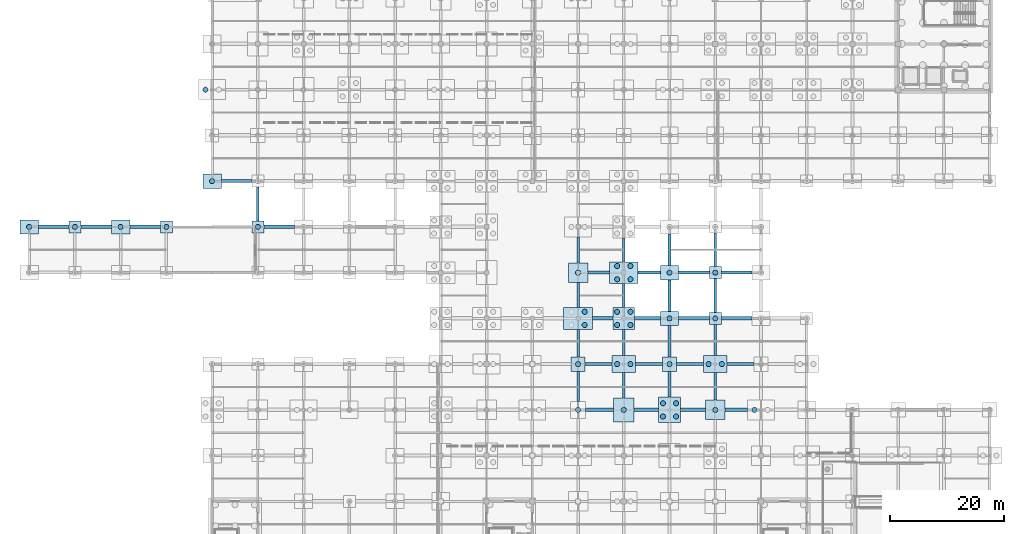
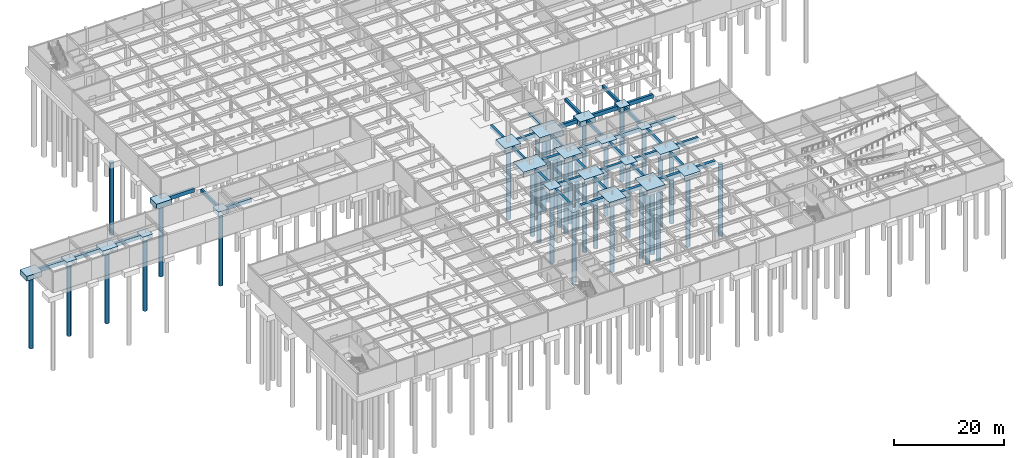
# One storey, part 4 of 105: 59 footings, 36 piles.
"""IFC4 building model written with IfcOpenShell, lengths in metres."""

from ifc_helpers import new_model, si_unit, direction, frame, origin, origin_2d, place, context, subcontext, project, spatial, rectangle, circle, extrude, material, material_profile, profile_set, type_object, element, save


model = new_model("IFC4")

# Units and contexts
model_context = context("Model", 3, precision=1e-05, world=origin(), true_north=direction((0.0, 1.0)))
body_context = subcontext(model_context, "Body", "Model", "MODEL_VIEW")
ifc_project = project(units=[si_unit("LENGTHUNIT", "METRE"), si_unit("AREAUNIT", "SQUARE_METRE"), si_unit("VOLUMEUNIT", "CUBIC_METRE"), si_unit("PLANEANGLEUNIT", "RADIAN"), si_unit("MASSUNIT", "GRAM", prefix="KILO")], contexts=[model_context])

# Site, building, storey
site_placement = place(None, origin())
site = spatial("IfcSite", under=ifc_project, at=site_placement, CompositionType="ELEMENT")
building_placement = place(site_placement, origin())
building = spatial("IfcBuilding", under=site, at=building_placement, Name="Solmirada Galleria", CompositionType="ELEMENT")
storey_placement = place(building_placement, frame((0.0, 0.0, -4.800048828125)))
storey = spatial("IfcBuildingStorey", under=building, at=storey_placement, Name="B1", CompositionType="ELEMENT", Elevation=-4.800048828125)

# Footings
ifc_material_1 = material(Name="Concrete C35/45", Category="concrete")
footing_type_1 = type_object("IfcFootingType", Name="PC-01", PredefinedType="PILE_CAP", material=ifc_material_1)
for number, where, z_axis, x_axis, name in (
    (1, (16.0, 64.0, -1.0), (0.0, 0.0, 1.0), (1.0, 0.0, 0.0), "Pile cap at (16.0, 64.0)"),
    (2, (32.0, 64.0, -1.0), (0.0, 0.0, 1.0), (1.0, 0.0, 0.0), "Pile cap at (32.0, 64.0)"),
    (3, (48.0, 64.0, -1.0), (0.0, 0.0, 1.0), (1.0, 0.0, 0.0), "Pile cap at (48.0, 64.0)"),
    (4, (128.0, 48.0, -1.0), (0.0, 0.0, 1.0), (1.0, 0.0, 0.0), "Pile cap at (128.0, 48.0)"),
    (5, (128.0, 56.0, -1.0), (0.0, 0.0, 1.0), (1.0, 0.0, 0.0), "Pile cap at (128.0, 56.0)"),
):
    element("IfcFooting", number, at=place(storey_placement, frame(where, z_axis=z_axis, x_axis=x_axis)), inside=storey, type_object=footing_type_1, Name=name, PredefinedType="PILE_CAP", context=body_context, shape_type="SweptSolid", body=[
        extrude(rectangle(XDim=2.10009765625, YDim=2.10009765625, at=origin_2d()), origin(), (0.0, 0.0, 1.0), 1.0),
    ])
footing_type_2 = type_object("IfcFootingType", Name="PC-02", PredefinedType="PILE_CAP", material=ifc_material_1)
for number, where, z_axis, x_axis, name in (
    (6, (104.0, 40.0, -1.0), (0.0, 0.0, 1.0), (1.0, 0.0, 0.0), "Pile cap at (104.0, 40.0)"),
    (7, (120.0, 40.0, -1.0), (0.0, 0.0, 1.0), (1.0, 0.0, 0.0), "Pile cap at (120.0, 40.0)"),
):
    element("IfcFooting", number, at=place(storey_placement, frame(where, z_axis=z_axis, x_axis=x_axis)), inside=storey, type_object=footing_type_2, Name=name, PredefinedType="PILE_CAP", context=body_context, shape_type="SweptSolid", body=[
        extrude(rectangle(XDim=2.5, YDim=2.5, at=origin_2d()), origin(), (0.0, 0.0, 1.0), 1.0),
    ])
footing_type_3 = type_object("IfcFootingType", Name="PC-04", PredefinedType="PILE_CAP", material=ifc_material_1)
for number, where, z_axis, x_axis, name in (
    (8, (104.0, 56.0, -1.10009765625), (0.0, 0.0, 1.0), (1.0, 0.0, 0.0), "Pile cap at (104.0, 56.0)"),
    (9, (128.0, 32.0, -1.10009765625), (0.0, 0.0, 1.0), (1.0, 0.0, 0.0), "Pile cap at (128.0, 32.0)"),
):
    element("IfcFooting", number, at=place(storey_placement, frame(where, z_axis=z_axis, x_axis=x_axis)), inside=storey, type_object=footing_type_3, Name=name, PredefinedType="PILE_CAP", context=body_context, shape_type="SweptSolid", body=[
        extrude(rectangle(XDim=3.39990234375, YDim=3.39990234375, at=origin_2d()), origin(), (0.0, 0.0, 1.0), 1.10009765625),
    ])
footing_type_4 = type_object("IfcFootingType", Name="PC-05", PredefinedType="PILE_CAP", material=ifc_material_1)
footing_1_placement = place(storey_placement, frame((112.0, 48.0, -1.14990234375), z_axis=(0.0, 0.0, 1.0), x_axis=(1.0, 0.0, 0.0)))
element("IfcFooting", 10, at=footing_1_placement, inside=storey, type_object=footing_type_4, Name="Pile cap at (112.0, 48.0)", PredefinedType="PILE_CAP", context=body_context, shape_type="SweptSolid", body=[
    extrude(rectangle(XDim=3.800048828125, YDim=3.800048828125, at=origin_2d()), origin(), (0.0, 0.0, 1.0), 1.14990234375),
])
footing_type_5 = type_object("IfcFootingType", Name="PC-06", PredefinedType="PILE_CAP", material=ifc_material_1)
for number, where, z_axis, x_axis, name in (
    (11, (112.0, 40.0, -1.14990234375), (0.0, 0.0, 1.0), (1.0, 0.0, 0.0), "Pile cap at (112.0, 40.0)"),
    (12, (128.0, 40.0, -1.14990234375), (0.0, 0.0, 1.0), (1.0, 0.0, 0.0), "Pile cap at (128.0, 40.0)"),
):
    element("IfcFooting", number, at=place(storey_placement, frame(where, z_axis=z_axis, x_axis=x_axis)), inside=storey, type_object=footing_type_5, Name=name, PredefinedType="PILE_CAP", context=body_context, shape_type="SweptSolid", body=[
        extrude(rectangle(XDim=4.10009765625, YDim=3.0, at=origin_2d()), origin(), (0.0, 0.0, 1.0), 1.14990234375),
    ])
footing_type_6 = type_object("IfcFootingType", Name="PC-09", PredefinedType="PILE_CAP", material=ifc_material_1)
for number, where, z_axis, x_axis, name in (
    (13, (104.0, 48.0, -1.25), (0.0, 0.0, 1.0), (1.0, 0.0, 0.0), "Pile cap at (104.0, 48.0)"),
    (14, (112.0, 56.0, -1.25), (0.0, 0.0, 1.0), (1.0, 0.0, 0.0), "Pile cap at (112.0, 56.0)"),
):
    element("IfcFooting", number, at=place(storey_placement, frame(where, z_axis=z_axis, x_axis=x_axis)), inside=storey, type_object=footing_type_6, Name=name, PredefinedType="PILE_CAP", context=body_context, shape_type="SweptSolid", body=[
        extrude(rectangle(XDim=5.0, YDim=3.800048828125, at=origin_2d()), origin(), (0.0, 0.0, 1.0), 1.25),
    ])
footing_type_7 = type_object("IfcFootingType", Name="PC-10", PredefinedType="PILE_CAP", material=ifc_material_1)
for number, where, z_axis, x_axis, name in (
    (15, (8.0, 64.0, -1.10009765625), (0.0, 0.0, 1.0), (1.0, 0.0, 0.0), "Pile cap at (8.0, 64.0)"),
    (16, (24.0, 64.0, -1.10009765625), (0.0, 0.0, 1.0), (1.0, 0.0, 0.0), "Pile cap at (24.0, 64.0)"),
    (17, (40.0, 72.0, -1.10009765625), (0.0, 0.0, 1.0), (1.0, 0.0, 0.0), "Pile cap at (40.0, 72.0)"),
    (18, (120.0, 48.0, -1.10009765625), (0.0, 0.0, 1.0), (1.0, 0.0, 0.0), "Pile cap at (120.0, 48.0)"),
    (19, (120.0, 56.0, -1.10009765625), (0.0, 0.0, 1.0), (1.0, 0.0, 0.0), "Pile cap at (120.0, 56.0)"),
):
    element("IfcFooting", number, at=place(storey_placement, frame(where, z_axis=z_axis, x_axis=x_axis)), inside=storey, type_object=footing_type_7, Name=name, PredefinedType="PILE_CAP", context=body_context, shape_type="SweptSolid", body=[
        extrude(rectangle(XDim=3.199951171875, YDim=2.5, at=origin_2d()), origin(), (0.0, 0.0, 1.0), 1.10009765625),
    ])
footing_type_8 = type_object("IfcFootingType", Name="PC-25", PredefinedType="PILE_CAP", material=ifc_material_1)
footing_2_placement = place(storey_placement, frame((112.0, 32.0, -1.14990234375), z_axis=(0.0, 0.0, 1.0), x_axis=(1.0, 0.0, 0.0)))
element("IfcFooting", 20, at=footing_2_placement, inside=storey, type_object=footing_type_8, Name="Pile cap at (112.0, 32.0)", PredefinedType="PILE_CAP", context=body_context, shape_type="SweptSolid", body=[
    extrude(rectangle(XDim=3.60009765625, YDim=4.199951171875, at=origin_2d()), origin(), (0.0, 0.0, 1.0), 1.14990234375),
])
footing_type_9 = type_object("IfcFootingType", Name="PC-26", PredefinedType="PILE_CAP", material=ifc_material_1)
footing_3_placement = place(storey_placement, frame((120.0, 32.0, -1.19970703125), z_axis=(0.0, 0.0, 1.0), x_axis=(1.0, 0.0, 0.0)))
element("IfcFooting", 21, at=footing_3_placement, inside=storey, type_object=footing_type_9, Name="Pile cap at (120.0, 32.0)", PredefinedType="PILE_CAP", context=body_context, shape_type="SweptSolid", body=[
    extrude(rectangle(XDim=3.89990234375, YDim=4.5, at=origin_2d()), origin(), (0.0, 0.0, 1.0), 1.199951171875),
])

# Piles
ifc_material_2 = material(Name="Concrete C40/50", Category="concrete")
ifc_material_profile_1 = material_profile(ifc_material_2, circle(Radius=0.449951171875, at=origin_2d()), Name="PILE900")
ifc_profile_set_1 = profile_set([ifc_material_profile_1], Name="Concrete C40/50")
pile_type = type_object("IfcPileType", Name="PILE-900", PredefinedType="BORED", material=ifc_profile_set_1)
pile_1_placement = place(storey_placement, frame((8.0, 64.0, -1.0), z_axis=(0.0, 0.0, -1.0), x_axis=(1.0, 0.0, 0.0)))
element("IfcPile", 22, at=pile_1_placement, inside=storey, type_object=pile_type, Name="Bored pile at (8.00, 64.00)", PredefinedType="BORED", context=body_context, shape_type="SweptSolid", body=[
    extrude(circle(Radius=0.449951171875, at=origin_2d()), origin(), (0.0, 0.0, 1.0), 16.199951171875),
])
pile_2_placement = place(storey_placement, frame((16.0, 64.0, -0.89990234375), z_axis=(0.0, 0.0, -1.0), x_axis=(1.0, 0.0, 0.0)))
element("IfcPile", 23, at=pile_2_placement, inside=storey, type_object=pile_type, Name="Bored pile at (16.00, 64.00)", PredefinedType="BORED", context=body_context, shape_type="SweptSolid", body=[
    extrude(circle(Radius=0.449951171875, at=origin_2d()), origin(), (0.0, 0.0, 1.0), 16.300048828125),
])
pile_3_placement = place(storey_placement, frame((24.0, 64.0, -1.0), z_axis=(0.0, 0.0, -1.0), x_axis=(1.0, 0.0, 0.0)))
element("IfcPile", 24, at=pile_3_placement, inside=storey, type_object=pile_type, Name="Bored pile at (24.00, 64.00)", PredefinedType="BORED", context=body_context, shape_type="SweptSolid", body=[
    extrude(circle(Radius=0.449951171875, at=origin_2d()), origin(), (0.0, 0.0, 1.0), 16.199951171875),
])
pile_4_placement = place(storey_placement, frame((32.0, 64.0, -0.89990234375), z_axis=(0.0, 0.0, -1.0), x_axis=(1.0, 0.0, 0.0)))
element("IfcPile", 25, at=pile_4_placement, inside=storey, type_object=pile_type, Name="Bored pile at (32.00, 64.00)", PredefinedType="BORED", context=body_context, shape_type="SweptSolid", body=[
    extrude(circle(Radius=0.449951171875, at=origin_2d()), origin(), (0.0, 0.0, 1.0), 16.300048828125),
])
pile_5_placement = place(storey_placement, frame((40.0, 72.0, -1.0), z_axis=(0.0, 0.0, -1.0), x_axis=(1.0, 0.0, 0.0)))
element("IfcPile", 26, at=pile_5_placement, inside=storey, type_object=pile_type, Name="Bored pile at (40.00, 72.00)", PredefinedType="BORED", context=body_context, shape_type="SweptSolid", body=[
    extrude(circle(Radius=0.449951171875, at=origin_2d()), origin(), (0.0, 0.0, 1.0), 16.199951171875),
])
pile_6_placement = place(storey_placement, frame((38.840087890625, 88.0, -1.099853515625), z_axis=(0.0, 0.0, -1.0), x_axis=(1.0, 0.0, 0.0)))
element("IfcPile", 27, at=pile_6_placement, inside=storey, type_object=pile_type, Name="Bored pile at (38.84, 88.00)", PredefinedType="BORED", context=body_context, shape_type="SweptSolid", body=[
    extrude(circle(Radius=0.449951171875, at=origin_2d()), origin(), (0.0, 0.0, 1.0), 16.10009765625),
])
pile_7_placement = place(storey_placement, frame((48.0, 64.0, -0.89990234375), z_axis=(0.0, 0.0, -1.0), x_axis=(1.0, 0.0, 0.0)))
element("IfcPile", 28, at=pile_7_placement, inside=storey, type_object=pile_type, Name="Bored pile at (48.00, 64.00)", PredefinedType="BORED", context=body_context, shape_type="SweptSolid", body=[
    extrude(circle(Radius=0.449951171875, at=origin_2d()), origin(), (0.0, 0.0, 1.0), 16.300048828125),
])
pile_8_placement = place(storey_placement, frame((104.0, 32.0, -0.949951171875), z_axis=(0.0, 0.0, -1.0), x_axis=(1.0, 0.0, 0.0)))
element("IfcPile", 29, at=pile_8_placement, inside=storey, type_object=pile_type, Name="Bored pile at (104.00, 32.00)", PredefinedType="BORED", context=body_context, shape_type="SweptSolid", body=[
    extrude(circle(Radius=0.449951171875, at=origin_2d()), origin(), (0.0, 0.0, 1.0), 16.25),
])
pile_9_placement = place(storey_placement, frame((104.0, 40.0, -0.89990234375), z_axis=(0.0, 0.0, -1.0), x_axis=(1.0, 0.0, 0.0)))
element("IfcPile", 30, at=pile_9_placement, inside=storey, type_object=pile_type, Name="Bored pile at (104.00, 40.00)", PredefinedType="BORED", context=body_context, shape_type="SweptSolid", body=[
    extrude(circle(Radius=0.449951171875, at=origin_2d()), origin(), (0.0, 0.0, 1.0), 16.300048828125),
])
for number, where, z_axis, x_axis, name in (
    (31, (105.159912109375, 46.840087890625, -1.14990234375), (0.0, 0.0, -1.0), (1.0, 0.0, 0.0), "Bored pile at (105.16, 46.84)"),
    (32, (105.159912109375, 49.159912109375, -1.14990234375), (0.0, 0.0, -1.0), (1.0, 0.0, 0.0), "Bored pile at (105.16, 49.16)"),
):
    element("IfcPile", number, at=place(storey_placement, frame(where, z_axis=z_axis, x_axis=x_axis)), inside=storey, type_object=pile_type, Name=name, PredefinedType="BORED", context=body_context, shape_type="SweptSolid", body=[
        extrude(circle(Radius=0.449951171875, at=origin_2d()), origin(), (0.0, 0.0, 1.0), 16.050048828125),
    ])
pile_10_placement = place(storey_placement, frame((104.0, 56.0, -1.0), z_axis=(0.0, 0.0, -1.0), x_axis=(1.0, 0.0, 0.0)))
element("IfcPile", 33, at=pile_10_placement, inside=storey, type_object=pile_type, Name="Bored pile at (104.00, 56.00)", PredefinedType="BORED", context=body_context, shape_type="SweptSolid", body=[
    extrude(circle(Radius=0.449951171875, at=origin_2d()), origin(), (0.0, 0.0, 1.0), 16.199951171875),
])
for number, where, z_axis, x_axis, name in (
    (34, (112.0, 32.0, -1.050048828125), (0.0, 0.0, -1.0), (1.0, 0.0, 0.0), "Bored pile at (112.00, 32.00)"),
    (35, (110.840087890625, 40.0, -1.050048828125), (0.0, 0.0, -1.0), (1.0, 0.0, 0.0), "Bored pile at (110.84, 40.00)"),
    (36, (113.159912109375, 40.0, -1.050048828125), (0.0, 0.0, -1.0), (1.0, 0.0, 0.0), "Bored pile at (113.16, 40.00)"),
    (37, (110.840087890625, 46.840087890625, -1.050048828125), (0.0, 0.0, -1.0), (1.0, 0.0, 0.0), "Bored pile at (110.84, 46.84)"),
    (38, (113.159912109375, 46.840087890625, -1.050048828125), (0.0, 0.0, -1.0), (1.0, 0.0, 0.0), "Bored pile at (113.16, 46.84)"),
    (39, (110.840087890625, 49.159912109375, -1.050048828125), (0.0, 0.0, -1.0), (1.0, 0.0, 0.0), "Bored pile at (110.84, 49.16)"),
    (40, (113.159912109375, 49.159912109375, -1.050048828125), (0.0, 0.0, -1.0), (1.0, 0.0, 0.0), "Bored pile at (113.16, 49.16)"),
):
    element("IfcPile", number, at=place(storey_placement, frame(where, z_axis=z_axis, x_axis=x_axis)), inside=storey, type_object=pile_type, Name=name, PredefinedType="BORED", context=body_context, shape_type="SweptSolid", body=[
        extrude(circle(Radius=0.449951171875, at=origin_2d()), origin(), (0.0, 0.0, 1.0), 16.14990234375),
    ])
for number, where, z_axis, x_axis, name in (
    (41, (110.840087890625, 54.840087890625, -1.14990234375), (0.0, 0.0, -1.0), (1.0, 0.0, 0.0), "Bored pile at (110.84, 54.84)"),
    (42, (113.159912109375, 54.840087890625, -1.14990234375), (0.0, 0.0, -1.0), (1.0, 0.0, 0.0), "Bored pile at (113.16, 54.84)"),
    (43, (110.840087890625, 57.159912109375, -1.14990234375), (0.0, 0.0, -1.0), (1.0, 0.0, 0.0), "Bored pile at (110.84, 57.16)"),
    (44, (113.159912109375, 57.159912109375, -1.14990234375), (0.0, 0.0, -1.0), (1.0, 0.0, 0.0), "Bored pile at (113.16, 57.16)"),
):
    element("IfcPile", number, at=place(storey_placement, frame(where, z_axis=z_axis, x_axis=x_axis)), inside=storey, type_object=pile_type, Name=name, PredefinedType="BORED", context=body_context, shape_type="SweptSolid", body=[
        extrude(circle(Radius=0.449951171875, at=origin_2d()), origin(), (0.0, 0.0, 1.0), 16.050048828125),
    ])
for number, where, z_axis, x_axis, name in (
    (45, (118.840087890625, 30.840087890625, -1.099853515625), (0.0, 0.0, -1.0), (1.0, 0.0, 0.0), "Bored pile at (118.84, 30.84)"),
    (46, (121.159912109375, 30.840087890625, -1.099853515625), (0.0, 0.0, -1.0), (1.0, 0.0, 0.0), "Bored pile at (121.16, 30.84)"),
    (47, (118.840087890625, 33.159912109375, -1.099853515625), (0.0, 0.0, -1.0), (1.0, 0.0, 0.0), "Bored pile at (118.84, 33.16)"),
    (48, (121.159912109375, 33.159912109375, -1.099853515625), (0.0, 0.0, -1.0), (1.0, 0.0, 0.0), "Bored pile at (121.16, 33.16)"),
):
    element("IfcPile", number, at=place(storey_placement, frame(where, z_axis=z_axis, x_axis=x_axis)), inside=storey, type_object=pile_type, Name=name, PredefinedType="BORED", context=body_context, shape_type="SweptSolid", body=[
        extrude(circle(Radius=0.449951171875, at=origin_2d()), origin(), (0.0, 0.0, 1.0), 16.10009765625),
    ])
pile_11_placement = place(storey_placement, frame((120.0, 40.0, -0.89990234375), z_axis=(0.0, 0.0, -1.0), x_axis=(1.0, 0.0, 0.0)))
element("IfcPile", 49, at=pile_11_placement, inside=storey, type_object=pile_type, Name="Bored pile at (120.00, 40.00)", PredefinedType="BORED", context=body_context, shape_type="SweptSolid", body=[
    extrude(circle(Radius=0.449951171875, at=origin_2d()), origin(), (0.0, 0.0, 1.0), 16.300048828125),
])
for number, where, z_axis, x_axis, name in (
    (50, (120.0, 48.0, -1.0), (0.0, 0.0, -1.0), (1.0, 0.0, 0.0), "Bored pile at (120.00, 48.00)"),
    (51, (120.0, 56.0, -1.0), (0.0, 0.0, -1.0), (1.0, 0.0, 0.0), "Bored pile at (120.00, 56.00)"),
    (52, (128.0, 32.0, -1.0), (0.0, 0.0, -1.0), (1.0, 0.0, 0.0), "Bored pile at (128.00, 32.00)"),
):
    element("IfcPile", number, at=place(storey_placement, frame(where, z_axis=z_axis, x_axis=x_axis)), inside=storey, type_object=pile_type, Name=name, PredefinedType="BORED", context=body_context, shape_type="SweptSolid", body=[
        extrude(circle(Radius=0.449951171875, at=origin_2d()), origin(), (0.0, 0.0, 1.0), 16.199951171875),
    ])
for number, where, z_axis, x_axis, name in (
    (53, (126.840087890625, 40.0, -1.050048828125), (0.0, 0.0, -1.0), (1.0, 0.0, 0.0), "Bored pile at (126.84, 40.00)"),
    (54, (129.159912109375, 40.0, -1.050048828125), (0.0, 0.0, -1.0), (1.0, 0.0, 0.0), "Bored pile at (129.16, 40.00)"),
):
    element("IfcPile", number, at=place(storey_placement, frame(where, z_axis=z_axis, x_axis=x_axis)), inside=storey, type_object=pile_type, Name=name, PredefinedType="BORED", context=body_context, shape_type="SweptSolid", body=[
        extrude(circle(Radius=0.449951171875, at=origin_2d()), origin(), (0.0, 0.0, 1.0), 16.14990234375),
    ])
for number, where, z_axis, x_axis, name in (
    (55, (128.0, 48.0, -0.89990234375), (0.0, 0.0, -1.0), (1.0, 0.0, 0.0), "Bored pile at (128.00, 48.00)"),
    (56, (128.0, 56.0, -0.89990234375), (0.0, 0.0, -1.0), (1.0, 0.0, 0.0), "Bored pile at (128.00, 56.00)"),
):
    element("IfcPile", number, at=place(storey_placement, frame(where, z_axis=z_axis, x_axis=x_axis)), inside=storey, type_object=pile_type, Name=name, PredefinedType="BORED", context=body_context, shape_type="SweptSolid", body=[
        extrude(circle(Radius=0.449951171875, at=origin_2d()), origin(), (0.0, 0.0, 1.0), 16.300048828125),
    ])
pile_12_placement = place(storey_placement, frame((134.840087890625, 32.0, -1.099853515625), z_axis=(0.0, 0.0, -1.0), x_axis=(1.0, 0.0, 0.0)))
element("IfcPile", 57, at=pile_12_placement, inside=storey, type_object=pile_type, Name="Bored pile at (134.84, 32.00)", PredefinedType="BORED", context=body_context, shape_type="SweptSolid", body=[
    extrude(circle(Radius=0.449951171875, at=origin_2d()), origin(), (0.0, 0.0, 1.0), 16.10009765625),
])

# Footings
ifc_material_profile_2 = material_profile(ifc_material_1, rectangle(XDim=0.449951171875, YDim=0.75, at=origin_2d()), Name="RC750X450")
ifc_profile_set_2 = profile_set([ifc_material_profile_2], Name="Concrete C35/45")
footing_type_10 = type_object("IfcFootingType", Name="TB-750X450", PredefinedType="FOOTING_BEAM", material=ifc_profile_set_2)
footing_4_placement = place(storey_placement, frame((48.0, 65.050048828125, -0.375), z_axis=(0.0, 1.0, 0.0), x_axis=(-1.0, 0.0, 0.0)))
element("IfcFooting", 58, at=footing_4_placement, inside=storey, type_object=footing_type_10, Name="Foundation tie beam Y (48, 64..72)", PredefinedType="FOOTING_BEAM", context=body_context, shape_type="SweptSolid", body=[
    extrude(rectangle(XDim=0.449951171875, YDim=0.75, at=origin_2d()), origin(), (0.0, 0.0, 1.0), 5.89990234375),
])
footing_5_placement = place(storey_placement, frame((104.0, 33.5, -0.375), z_axis=(0.0, 1.0, 0.0), x_axis=(-1.0, 0.0, 0.0)))
element("IfcFooting", 59, at=footing_5_placement, inside=storey, type_object=footing_type_10, Name="Foundation tie beam Y (104, 32..40)", PredefinedType="FOOTING_BEAM", context=body_context, shape_type="SweptSolid", body=[
    extrude(rectangle(XDim=0.449951171875, YDim=0.75, at=origin_2d()), origin(), (0.0, 0.0, 1.0), 5.25),
])
footing_6_placement = place(storey_placement, frame((104.0, 41.25, -0.375), z_axis=(0.0, 1.0, 0.0), x_axis=(-1.0, 0.0, 0.0)))
element("IfcFooting", 60, at=footing_6_placement, inside=storey, type_object=footing_type_10, Name="Foundation tie beam Y (104, 40..48)", PredefinedType="FOOTING_BEAM", context=body_context, shape_type="SweptSolid", body=[
    extrude(rectangle(XDim=0.449951171875, YDim=0.75, at=origin_2d()), origin(), (0.0, 0.0, 1.0), 4.85009765625),
])
footing_7_placement = place(storey_placement, frame((104.0, 49.89990234375, -0.375), z_axis=(0.0, 1.0, 0.0), x_axis=(-1.0, 0.0, 0.0)))
element("IfcFooting", 61, at=footing_7_placement, inside=storey, type_object=footing_type_10, Name="Foundation tie beam Y (104, 48..56)", PredefinedType="FOOTING_BEAM", context=body_context, shape_type="SweptSolid", body=[
    extrude(rectangle(XDim=0.449951171875, YDim=0.75, at=origin_2d()), origin(), (0.0, 0.0, 1.0), 4.400146484375),
])
footing_8_placement = place(storey_placement, frame((104.0, 57.699951171875, -0.375), z_axis=(0.0, 1.0, 0.0), x_axis=(-1.0, 0.0, 0.0)))
element("IfcFooting", 62, at=footing_8_placement, inside=storey, type_object=footing_type_10, Name="Foundation tie beam Y (104, 56..64)", PredefinedType="FOOTING_BEAM", context=body_context, shape_type="SweptSolid", body=[
    extrude(rectangle(XDim=0.449951171875, YDim=0.75, at=origin_2d()), origin(), (0.0, 0.0, 1.0), 4.550048828125),
])
footing_9_placement = place(storey_placement, frame((112.0, 34.10009765625, -0.375), z_axis=(0.0, 1.0, 0.0), x_axis=(-1.0, 0.0, 0.0)))
element("IfcFooting", 63, at=footing_9_placement, inside=storey, type_object=footing_type_10, Name="Foundation tie beam Y (112, 32..40)", PredefinedType="FOOTING_BEAM", context=body_context, shape_type="SweptSolid", body=[
    extrude(rectangle(XDim=0.449951171875, YDim=0.75, at=origin_2d()), origin(), (0.0, 0.0, 1.0), 4.39990234375),
])
footing_10_placement = place(storey_placement, frame((112.0, 41.5, -0.375), z_axis=(0.0, 1.0, 0.0), x_axis=(-1.0, 0.0, 0.0)))
element("IfcFooting", 64, at=footing_10_placement, inside=storey, type_object=footing_type_10, Name="Foundation tie beam Y (112, 40..48)", PredefinedType="FOOTING_BEAM", context=body_context, shape_type="SweptSolid", body=[
    extrude(rectangle(XDim=0.449951171875, YDim=0.75, at=origin_2d()), origin(), (0.0, 0.0, 1.0), 4.60009765625),
])
for number, where, z_axis, x_axis, name in (
    (65, (112.0, 49.89990234375, -0.375), (0.0, 1.0, 0.0), (-1.0, 0.0, 0.0), "Foundation tie beam Y (112, 48..56)"),
    (66, (112.0, 57.89990234375, -0.375), (0.0, 1.0, 0.0), (-1.0, 0.0, 0.0), "Foundation tie beam Y (112, 56..64)"),
):
    element("IfcFooting", number, at=place(storey_placement, frame(where, z_axis=z_axis, x_axis=x_axis)), inside=storey, type_object=footing_type_10, Name=name, PredefinedType="FOOTING_BEAM", context=body_context, shape_type="SweptSolid", body=[
        extrude(rectangle(XDim=0.449951171875, YDim=0.75, at=origin_2d()), origin(), (0.0, 0.0, 1.0), 4.2001953125),
    ])
footing_11_placement = place(storey_placement, frame((120.0, 34.25, -0.375), z_axis=(0.0, 1.0, 0.0), x_axis=(-1.0, 0.0, 0.0)))
element("IfcFooting", 67, at=footing_11_placement, inside=storey, type_object=footing_type_10, Name="Foundation tie beam Y (120, 32..40)", PredefinedType="FOOTING_BEAM", context=body_context, shape_type="SweptSolid", body=[
    extrude(rectangle(XDim=0.449951171875, YDim=0.75, at=origin_2d()), origin(), (0.0, 0.0, 1.0), 4.5),
])
for number, where, z_axis, x_axis, name in (
    (68, (120.0, 41.25, -0.375), (0.0, 1.0, 0.0), (-1.0, 0.0, 0.0), "Foundation tie beam Y (120, 40..48)"),
    (69, (120.0, 49.25, -0.375), (0.0, 1.0, 0.0), (-1.0, 0.0, 0.0), "Foundation tie beam Y (120, 48..56)"),
    (70, (120.0, 57.25, -0.375), (0.0, 1.0, 0.0), (-1.0, 0.0, 0.0), "Foundation tie beam Y (120, 56..64)"),
):
    element("IfcFooting", number, at=place(storey_placement, frame(where, z_axis=z_axis, x_axis=x_axis)), inside=storey, type_object=footing_type_10, Name=name, PredefinedType="FOOTING_BEAM", context=body_context, shape_type="SweptSolid", body=[
        extrude(rectangle(XDim=0.449951171875, YDim=0.75, at=origin_2d()), origin(), (0.0, 0.0, 1.0), 5.5),
    ])
footing_12_placement = place(storey_placement, frame((128.0, 33.699951171875, -0.375), z_axis=(0.0, 1.0, 0.0), x_axis=(-1.0, 0.0, 0.0)))
element("IfcFooting", 71, at=footing_12_placement, inside=storey, type_object=footing_type_10, Name="Foundation tie beam Y (128, 32..40)", PredefinedType="FOOTING_BEAM", context=body_context, shape_type="SweptSolid", body=[
    extrude(rectangle(XDim=0.449951171875, YDim=0.75, at=origin_2d()), origin(), (0.0, 0.0, 1.0), 4.800048828125),
])
footing_13_placement = place(storey_placement, frame((128.0, 41.5, -0.375), z_axis=(0.0, 1.0, 0.0), x_axis=(-1.0, 0.0, 0.0)))
element("IfcFooting", 72, at=footing_13_placement, inside=storey, type_object=footing_type_10, Name="Foundation tie beam Y (128, 40..48)", PredefinedType="FOOTING_BEAM", context=body_context, shape_type="SweptSolid", body=[
    extrude(rectangle(XDim=0.449951171875, YDim=0.75, at=origin_2d()), origin(), (0.0, 0.0, 1.0), 5.449951171875),
])
for number, where, z_axis, x_axis, name in (
    (73, (128.0, 49.050048828125, -0.375), (0.0, 1.0, 0.0), (-1.0, 0.0, 0.0), "Foundation tie beam Y (128, 48..56)"),
    (74, (128.0, 57.050048828125, -0.375), (0.0, 1.0, 0.0), (-1.0, 0.0, 0.0), "Foundation tie beam Y (128, 56..64)"),
):
    element("IfcFooting", number, at=place(storey_placement, frame(where, z_axis=z_axis, x_axis=x_axis)), inside=storey, type_object=footing_type_10, Name=name, PredefinedType="FOOTING_BEAM", context=body_context, shape_type="SweptSolid", body=[
        extrude(rectangle(XDim=0.449951171875, YDim=0.75, at=origin_2d()), origin(), (0.0, 0.0, 1.0), 5.89990234375),
    ])
ifc_material_profile_3 = material_profile(ifc_material_1, rectangle(XDim=0.60009765625, YDim=0.800048828125, at=origin_2d()), Name="RC800X600")
ifc_profile_set_3 = profile_set([ifc_material_profile_3], Name="Concrete C35/45")
footing_type_11 = type_object("IfcFootingType", Name="TB-800X600", PredefinedType="FOOTING_BEAM", material=ifc_profile_set_3)
for number, where, z_axis, x_axis, name in (
    (75, (9.60009765625, 64.0, -0.39990234375), (1.0, 0.0, 0.0), (0.0, 1.0, 0.0), "Foundation tie beam X (8..16, 64)"),
    (76, (17.050048828125, 64.0, -0.39990234375), (1.0, 0.0, 0.0), (0.0, 1.0, 0.0), "Foundation tie beam X (16..24, 64)"),
    (77, (25.60009765625, 64.0, -0.39990234375), (1.0, 0.0, 0.0), (0.0, 1.0, 0.0), "Foundation tie beam X (24..32, 64)"),
    (78, (49.050048828125, 64.0, -0.39990234375), (1.0, 0.0, 0.0), (0.0, 1.0, 0.0), "Foundation tie beam X (48..56, 64)"),
):
    element("IfcFooting", number, at=place(storey_placement, frame(where, z_axis=z_axis, x_axis=x_axis)), inside=storey, type_object=footing_type_11, Name=name, PredefinedType="FOOTING_BEAM", context=body_context, shape_type="SweptSolid", body=[
        extrude(rectangle(XDim=0.60009765625, YDim=0.800048828125, at=origin_2d()), origin(), (0.0, 0.0, 1.0), 5.349853515625),
    ])
footing_14_placement = place(storey_placement, frame((105.300048828125, 32.0, -0.39990234375), z_axis=(1.0, 0.0, 0.0), x_axis=(0.0, 1.0, 0.0)))
element("IfcFooting", 79, at=footing_14_placement, inside=storey, type_object=footing_type_11, Name="Foundation tie beam X (104..112, 32)", PredefinedType="FOOTING_BEAM", context=body_context, shape_type="SweptSolid", body=[
    extrude(rectangle(XDim=0.60009765625, YDim=0.800048828125, at=origin_2d()), origin(), (0.0, 0.0, 1.0), 4.89990234375),
])
footing_15_placement = place(storey_placement, frame((106.5, 48.0, -0.39990234375), z_axis=(1.0, 0.0, 0.0), x_axis=(0.0, 1.0, 0.0)))
element("IfcFooting", 80, at=footing_15_placement, inside=storey, type_object=footing_type_11, Name="Foundation tie beam X (104..112, 48)", PredefinedType="FOOTING_BEAM", context=body_context, shape_type="SweptSolid", body=[
    extrude(rectangle(XDim=0.60009765625, YDim=0.800048828125, at=origin_2d()), origin(), (0.0, 0.0, 1.0), 3.60009765625),
])
footing_16_placement = place(storey_placement, frame((113.800048828125, 32.0, -0.39990234375), z_axis=(1.0, 0.0, 0.0), x_axis=(0.0, 1.0, 0.0)))
element("IfcFooting", 81, at=footing_16_placement, inside=storey, type_object=footing_type_11, Name="Foundation tie beam X (112..120, 32)", PredefinedType="FOOTING_BEAM", context=body_context, shape_type="SweptSolid", body=[
    extrude(rectangle(XDim=0.60009765625, YDim=0.800048828125, at=origin_2d()), origin(), (0.0, 0.0, 1.0), 4.25),
])
footing_17_placement = place(storey_placement, frame((113.89990234375, 48.0, -0.39990234375), z_axis=(1.0, 0.0, 0.0), x_axis=(0.0, 1.0, 0.0)))
element("IfcFooting", 82, at=footing_17_placement, inside=storey, type_object=footing_type_11, Name="Foundation tie beam X (112..120, 48)", PredefinedType="FOOTING_BEAM", context=body_context, shape_type="SweptSolid", body=[
    extrude(rectangle(XDim=0.60009765625, YDim=0.800048828125, at=origin_2d()), origin(), (0.0, 0.0, 1.0), 4.5),
])
footing_18_placement = place(storey_placement, frame((121.949951171875, 32.0, -0.39990234375), z_axis=(1.0, 0.0, 0.0), x_axis=(0.0, 1.0, 0.0)))
element("IfcFooting", 83, at=footing_18_placement, inside=storey, type_object=footing_type_11, Name="Foundation tie beam X (120..128, 32)", PredefinedType="FOOTING_BEAM", context=body_context, shape_type="SweptSolid", body=[
    extrude(rectangle(XDim=0.60009765625, YDim=0.800048828125, at=origin_2d()), origin(), (0.0, 0.0, 1.0), 4.35009765625),
])
footing_19_placement = place(storey_placement, frame((121.60009765625, 48.0, -0.39990234375), z_axis=(1.0, 0.0, 0.0), x_axis=(0.0, 1.0, 0.0)))
element("IfcFooting", 84, at=footing_19_placement, inside=storey, type_object=footing_type_11, Name="Foundation tie beam X (120..128, 48)", PredefinedType="FOOTING_BEAM", context=body_context, shape_type="SweptSolid", body=[
    extrude(rectangle(XDim=0.60009765625, YDim=0.800048828125, at=origin_2d()), origin(), (0.0, 0.0, 1.0), 5.349853515625),
])
footing_20_placement = place(storey_placement, frame((129.699951171875, 32.0, -0.39990234375), z_axis=(1.0, 0.0, 0.0), x_axis=(0.0, 1.0, 0.0)))
element("IfcFooting", 85, at=footing_20_placement, inside=storey, type_object=footing_type_11, Name="Foundation tie beam X (128..136, 32)", PredefinedType="FOOTING_BEAM", context=body_context, shape_type="SweptSolid", body=[
    extrude(rectangle(XDim=0.60009765625, YDim=0.800048828125, at=origin_2d()), origin(), (0.0, 0.0, 1.0), 3.949951171875),
])
footing_21_placement = place(storey_placement, frame((129.050048828125, 48.0, -0.39990234375), z_axis=(1.0, 0.0, 0.0), x_axis=(0.0, 1.0, 0.0)))
element("IfcFooting", 86, at=footing_21_placement, inside=storey, type_object=footing_type_11, Name="Foundation tie beam X (128..136, 48)", PredefinedType="FOOTING_BEAM", context=body_context, shape_type="SweptSolid", body=[
    extrude(rectangle(XDim=0.60009765625, YDim=0.800048828125, at=origin_2d()), origin(), (0.0, 0.0, 1.0), 5.349853515625),
])
ifc_material_profile_4 = material_profile(ifc_material_1, rectangle(XDim=0.5, YDim=0.85009765625, at=origin_2d()), Name="RC850X500")
ifc_profile_set_4 = profile_set([ifc_material_profile_4], Name="Concrete C35/45")
footing_type_12 = type_object("IfcFootingType", Name="TB-850X500", PredefinedType="FOOTING_BEAM", material=ifc_profile_set_4)
footing_22_placement = place(storey_placement, frame((41.60009765625, 72.0, -0.425048828125), z_axis=(1.0, 0.0, 0.0), x_axis=(0.0, 1.0, 0.0)))
element("IfcFooting", 87, at=footing_22_placement, inside=storey, type_object=footing_type_12, Name="Foundation tie beam X (40..48, 72)", PredefinedType="FOOTING_BEAM", context=body_context, shape_type="SweptSolid", body=[
    extrude(rectangle(XDim=0.5, YDim=0.85009765625, at=origin_2d()), origin(), (0.0, 0.0, 1.0), 5.349853515625),
])
footing_23_placement = place(storey_placement, frame((105.25, 40.0, -0.425048828125), z_axis=(1.0, 0.0, 0.0), x_axis=(0.0, 1.0, 0.0)))
element("IfcFooting", 88, at=footing_23_placement, inside=storey, type_object=footing_type_12, Name="Foundation tie beam X (104..112, 40)", PredefinedType="FOOTING_BEAM", context=body_context, shape_type="SweptSolid", body=[
    extrude(rectangle(XDim=0.5, YDim=0.85009765625, at=origin_2d()), origin(), (0.0, 0.0, 1.0), 4.699951171875),
])
footing_24_placement = place(storey_placement, frame((105.699951171875, 56.0, -0.425048828125), z_axis=(1.0, 0.0, 0.0), x_axis=(0.0, 1.0, 0.0)))
element("IfcFooting", 89, at=footing_24_placement, inside=storey, type_object=footing_type_12, Name="Foundation tie beam X (104..112, 56)", PredefinedType="FOOTING_BEAM", context=body_context, shape_type="SweptSolid", body=[
    extrude(rectangle(XDim=0.5, YDim=0.85009765625, at=origin_2d()), origin(), (0.0, 0.0, 1.0), 3.800048828125),
])
footing_25_placement = place(storey_placement, frame((114.050048828125, 40.0, -0.425048828125), z_axis=(1.0, 0.0, 0.0), x_axis=(0.0, 1.0, 0.0)))
element("IfcFooting", 90, at=footing_25_placement, inside=storey, type_object=footing_type_12, Name="Foundation tie beam X (112..120, 40)", PredefinedType="FOOTING_BEAM", context=body_context, shape_type="SweptSolid", body=[
    extrude(rectangle(XDim=0.5, YDim=0.85009765625, at=origin_2d()), origin(), (0.0, 0.0, 1.0), 4.699951171875),
])
footing_26_placement = place(storey_placement, frame((114.5, 56.0, -0.425048828125), z_axis=(1.0, 0.0, 0.0), x_axis=(0.0, 1.0, 0.0)))
element("IfcFooting", 91, at=footing_26_placement, inside=storey, type_object=footing_type_12, Name="Foundation tie beam X (112..120, 56)", PredefinedType="FOOTING_BEAM", context=body_context, shape_type="SweptSolid", body=[
    extrude(rectangle(XDim=0.5, YDim=0.85009765625, at=origin_2d()), origin(), (0.0, 0.0, 1.0), 3.89990234375),
])
footing_27_placement = place(storey_placement, frame((121.25, 40.0, -0.425048828125), z_axis=(1.0, 0.0, 0.0), x_axis=(0.0, 1.0, 0.0)))
element("IfcFooting", 92, at=footing_27_placement, inside=storey, type_object=footing_type_12, Name="Foundation tie beam X (120..128, 40)", PredefinedType="FOOTING_BEAM", context=body_context, shape_type="SweptSolid", body=[
    extrude(rectangle(XDim=0.5, YDim=0.85009765625, at=origin_2d()), origin(), (0.0, 0.0, 1.0), 4.699951171875),
])
footing_28_placement = place(storey_placement, frame((121.60009765625, 56.0, -0.425048828125), z_axis=(1.0, 0.0, 0.0), x_axis=(0.0, 1.0, 0.0)))
element("IfcFooting", 93, at=footing_28_placement, inside=storey, type_object=footing_type_12, Name="Foundation tie beam X (120..128, 56)", PredefinedType="FOOTING_BEAM", context=body_context, shape_type="SweptSolid", body=[
    extrude(rectangle(XDim=0.5, YDim=0.85009765625, at=origin_2d()), origin(), (0.0, 0.0, 1.0), 5.349853515625),
])
footing_29_placement = place(storey_placement, frame((130.050048828125, 40.0, -0.425048828125), z_axis=(1.0, 0.0, 0.0), x_axis=(0.0, 1.0, 0.0)))
element("IfcFooting", 94, at=footing_29_placement, inside=storey, type_object=footing_type_12, Name="Foundation tie beam X (128..136, 40)", PredefinedType="FOOTING_BEAM", context=body_context, shape_type="SweptSolid", body=[
    extrude(rectangle(XDim=0.5, YDim=0.85009765625, at=origin_2d()), origin(), (0.0, 0.0, 1.0), 4.699951171875),
])
footing_30_placement = place(storey_placement, frame((129.050048828125, 56.0, -0.425048828125), z_axis=(1.0, 0.0, 0.0), x_axis=(0.0, 1.0, 0.0)))
element("IfcFooting", 95, at=footing_30_placement, inside=storey, type_object=footing_type_12, Name="Foundation tie beam X (128..136, 56)", PredefinedType="FOOTING_BEAM", context=body_context, shape_type="SweptSolid", body=[
    extrude(rectangle(XDim=0.5, YDim=0.85009765625, at=origin_2d()), origin(), (0.0, 0.0, 1.0), 5.349853515625),
])

save(model, "model.ifc")
